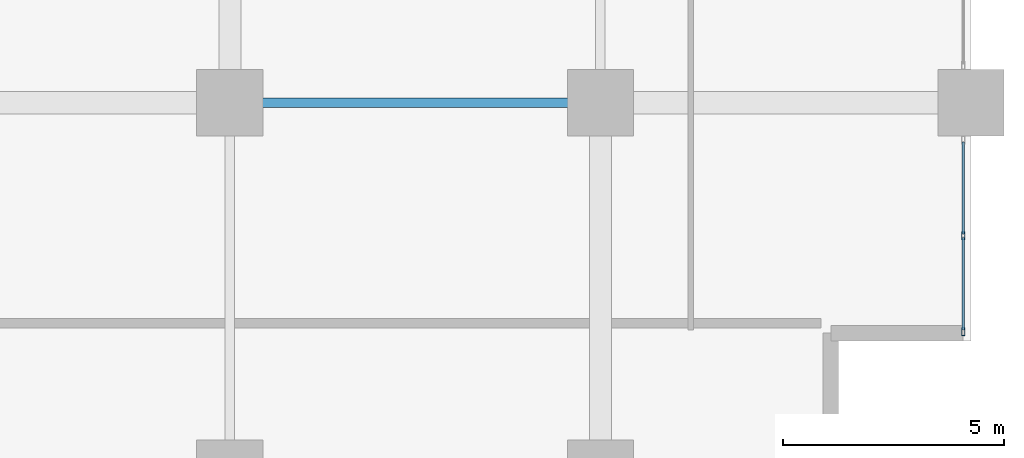
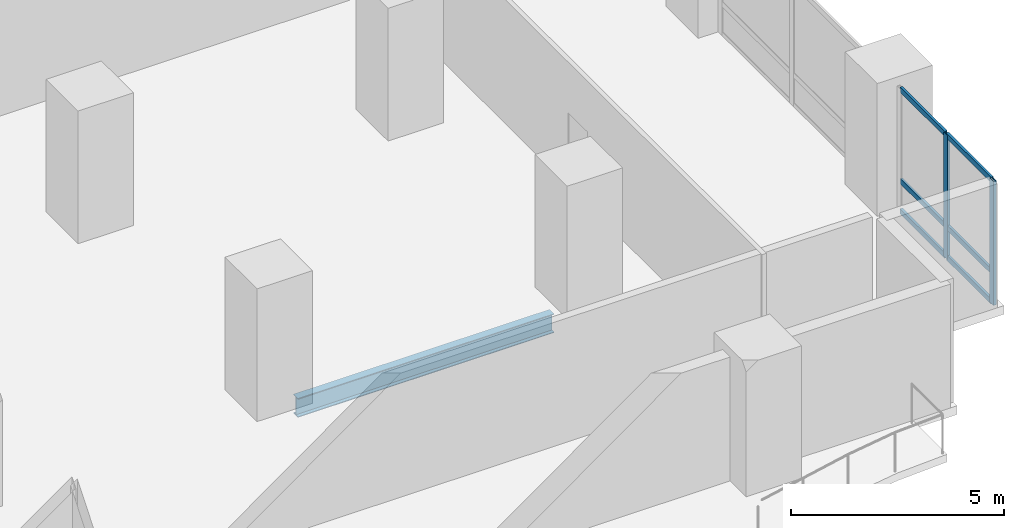
# One storey, part 3 of 27: 8 members, 1 beam, 1 element without a shape of its own.
"""IFC4 building model written with IfcOpenShell, lengths in metres."""

from ifc_helpers import new_model, si_unit, direction, frame, origin, origin_2d, place, context, subcontext, project, spatial, hollow_rectangle, i_section, extrude, material, layer, layer_set, material_profile, profile_set, type_object, element, aggregate, save


model = new_model("IFC4")

# Units and contexts
model_context = context("Model", 3, precision=1e-05, world=origin(), true_north=direction((0.0, 1.0)))
body_context = subcontext(model_context, "Body", "Model", "MODEL_VIEW")
ifc_project = project(units=[si_unit("LENGTHUNIT", "METRE"), si_unit("AREAUNIT", "SQUARE_METRE"), si_unit("VOLUMEUNIT", "CUBIC_METRE"), si_unit("PLANEANGLEUNIT", "RADIAN"), si_unit("MASSUNIT", "GRAM", prefix="KILO")], contexts=[model_context])

# Site, building, storey
site_placement = place(None, origin())
site = spatial("IfcSite", under=ifc_project, at=site_placement, CompositionType="ELEMENT")
building_placement = place(site_placement, origin())
building = spatial("IfcBuilding", under=site, at=building_placement, Name="Koriwani Terraces Tower", CompositionType="ELEMENT")
storey_placement = place(building_placement, frame((0.0, 0.0, 70.0)))
storey = spatial("IfcBuildingStorey", under=building, at=storey_placement, Name="L16", CompositionType="ELEMENT", Elevation=70.0)

# Curtain wall, members
ifc_material_1 = material(Name="Anodised Bronze Aluminium", Category="aluminium")
ifc_layer = layer(ifc_material_1, 0.179931640625, Name="Anodised Bronze Aluminium")
ifc_layer_set = layer_set([ifc_layer], Name="Anodised Bronze Aluminium")
curtain_wall_type = type_object("IfcCurtainWallType", Name="CW_HOTEL_ZONE1", PredefinedType="NOTDEFINED", material=ifc_layer_set)
curtain_wall_placement = place(storey_placement, origin())
curtain_wall = element("IfcCurtainWall", 1, at=curtain_wall_placement, inside=storey, type_object=curtain_wall_type, Name="L16 Unitised Curtain Wall (E_TIP) Bay 4", PredefinedType="NOTDEFINED")
ifc_material_profile_1 = material_profile(ifc_material_1, hollow_rectangle(XDim=0.074951171875, YDim=0.179931640625, WallThickness=0.006103515625, at=origin_2d()), Name="Anodised Bronze Aluminium", Category="LoadBearing")
ifc_profile_set_1 = profile_set([ifc_material_profile_1], Name="Anodised Bronze Aluminium")
member_type_1 = type_object("IfcMemberType", Name="CW_MULLION_180X75", PredefinedType="MULLION", material=ifc_profile_set_1)
member_1_placement = place(storey_placement, frame((92.22509765625, 5.382568359375, 0.0), z_axis=(0.0, 0.0, 1.0), x_axis=(1.0, 0.0, 0.0)))
member_1 = element("IfcMember", 2, at=member_1_placement, type_object=member_type_1, Name="CW-Z1 mullion 2", PredefinedType="MULLION", context=body_context, shape_type="SweptSolid", body=[
    extrude(hollow_rectangle(XDim=0.074951171875, YDim=0.179931640625, WallThickness=0.006103515625, at=origin_2d()), origin(), (0.0, 0.0, 1.0), 3.550048828125),
])
member_2_placement = place(storey_placement, frame((92.22509765625, 3.21240234375, 0.0), z_axis=(0.0, 0.0, 1.0), x_axis=(1.0, 0.0, 0.0)))
member_2 = element("IfcMember", 3, at=member_2_placement, type_object=member_type_1, Name="CW-Z1 mullion 3", PredefinedType="MULLION", context=body_context, shape_type="SweptSolid", body=[
    extrude(hollow_rectangle(XDim=0.074951171875, YDim=0.179931640625, WallThickness=0.006103515625, at=origin_2d()), origin(), (0.0, 0.0, 1.0), 3.550048828125),
])
ifc_material_profile_2 = material_profile(ifc_material_1, hollow_rectangle(XDim=0.06494140625, YDim=0.14990234375, WallThickness=0.0048828125, at=origin_2d()), Name="Anodised Bronze Aluminium", Category="LoadBearing")
ifc_profile_set_2 = profile_set([ifc_material_profile_2], Name="Anodised Bronze Aluminium")
member_type_2 = type_object("IfcMemberType", Name="CW_TRANSOM_150X65", PredefinedType="USERDEFINED", material=ifc_profile_set_2)
member_3_placement = place(storey_placement, frame((92.22509765625, 7.514892578125, 0.032470703125), z_axis=(0.0, -1.0, 0.0), x_axis=(1.0, 0.0, 0.0)))
member_3 = element("IfcMember", 4, at=member_3_placement, type_object=member_type_2, Name="CW-Z1 transom 1.1", ObjectType="TRANSOM", PredefinedType="USERDEFINED", context=body_context, shape_type="SweptSolid", body=[
    extrude(hollow_rectangle(XDim=0.06494140625, YDim=0.14990234375, WallThickness=0.0048828125, at=origin_2d()), origin(), (0.0, 0.0, 1.0), 2.094970703125),
])
member_4_placement = place(storey_placement, frame((92.22509765625, 7.514892578125, 0.89990234375), z_axis=(0.0, -1.0, 0.0), x_axis=(1.0, 0.0, 0.0)))
member_4 = element("IfcMember", 5, at=member_4_placement, type_object=member_type_2, Name="CW-Z1 transom 1.2", ObjectType="TRANSOM", PredefinedType="USERDEFINED", context=body_context, shape_type="SweptSolid", body=[
    extrude(hollow_rectangle(XDim=0.06494140625, YDim=0.14990234375, WallThickness=0.0048828125, at=origin_2d()), origin(), (0.0, 0.0, 1.0), 2.094970703125),
])
member_5_placement = place(storey_placement, frame((92.22509765625, 7.514892578125, 3.517578125), z_axis=(0.0, -1.0, 0.0), x_axis=(1.0, 0.0, 0.0)))
member_5 = element("IfcMember", 6, at=member_5_placement, type_object=member_type_2, Name="CW-Z1 transom 1.3", ObjectType="TRANSOM", PredefinedType="USERDEFINED", context=body_context, shape_type="SweptSolid", body=[
    extrude(hollow_rectangle(XDim=0.06494140625, YDim=0.14990234375, WallThickness=0.0048828125, at=origin_2d()), origin(), (0.0, 0.0, 1.0), 2.094970703125),
])
member_6_placement = place(storey_placement, frame((92.22509765625, 5.344970703125, 0.032470703125), z_axis=(0.0, -1.0, 0.0), x_axis=(1.0, 0.0, 0.0)))
member_6 = element("IfcMember", 7, at=member_6_placement, type_object=member_type_2, Name="CW-Z1 transom 2.1", ObjectType="TRANSOM", PredefinedType="USERDEFINED", context=body_context, shape_type="SweptSolid", body=[
    extrude(hollow_rectangle(XDim=0.06494140625, YDim=0.14990234375, WallThickness=0.0048828125, at=origin_2d()), origin(), (0.0, 0.0, 1.0), 2.094970703125),
])
member_7_placement = place(storey_placement, frame((92.22509765625, 5.344970703125, 0.89990234375), z_axis=(0.0, -1.0, 0.0), x_axis=(1.0, 0.0, 0.0)))
member_7 = element("IfcMember", 8, at=member_7_placement, type_object=member_type_2, Name="CW-Z1 transom 2.2", ObjectType="TRANSOM", PredefinedType="USERDEFINED", context=body_context, shape_type="SweptSolid", body=[
    extrude(hollow_rectangle(XDim=0.06494140625, YDim=0.14990234375, WallThickness=0.0048828125, at=origin_2d()), origin(), (0.0, 0.0, 1.0), 2.094970703125),
])
member_8_placement = place(storey_placement, frame((92.22509765625, 5.344970703125, 3.517578125), z_axis=(0.0, -1.0, 0.0), x_axis=(1.0, 0.0, 0.0)))
member_8 = element("IfcMember", 9, at=member_8_placement, type_object=member_type_2, Name="CW-Z1 transom 2.3", ObjectType="TRANSOM", PredefinedType="USERDEFINED", context=body_context, shape_type="SweptSolid", body=[
    extrude(hollow_rectangle(XDim=0.06494140625, YDim=0.14990234375, WallThickness=0.0048828125, at=origin_2d()), origin(), (0.0, 0.0, 1.0), 2.094970703125),
])
aggregate(curtain_wall, [member_1, member_2, member_3, member_4, member_5, member_6, member_7, member_8])

# Beam
ifc_material_2 = material(Name="Steel ASTM A572 Grade 50", Category="steel")
ifc_material_profile_3 = material_profile(ifc_material_2, i_section(OverallWidth=0.2119140625, OverallDepth=0.54296875, WebThickness=0.0126953125, FlangeThickness=0.021240234375, at=origin_2d()), Name="Steel ASTM A572 Grade 50", Category="LoadBearing")
ifc_profile_set_3 = profile_set([ifc_material_profile_3], Name="Steel ASTM A572 Grade 50")
beam_type = type_object("IfcBeamType", Name="STEEL_BEAM_W530X150", PredefinedType="BEAM", material=ifc_profile_set_3)
beam_placement = place(storey_placement, frame((76.330078125, 8.39990234375, -0.521484375), z_axis=(1.0, 0.0, 0.0), x_axis=(0.0, 1.0, 0.0)))
element("IfcBeam", 10, at=beam_placement, inside=storey, type_object=beam_type, Name="L16 Grid Beam B (75.6-84.0m)", PredefinedType="BEAM", context=body_context, shape_type="SweptSolid", body=[
    extrude(i_section(OverallWidth=0.2119140625, OverallDepth=0.54296875, WebThickness=0.0126953125, FlangeThickness=0.021240234375, at=origin_2d()), origin(), (0.0, 0.0, 1.0), 6.93994140625),
])

save(model, "model.ifc")
